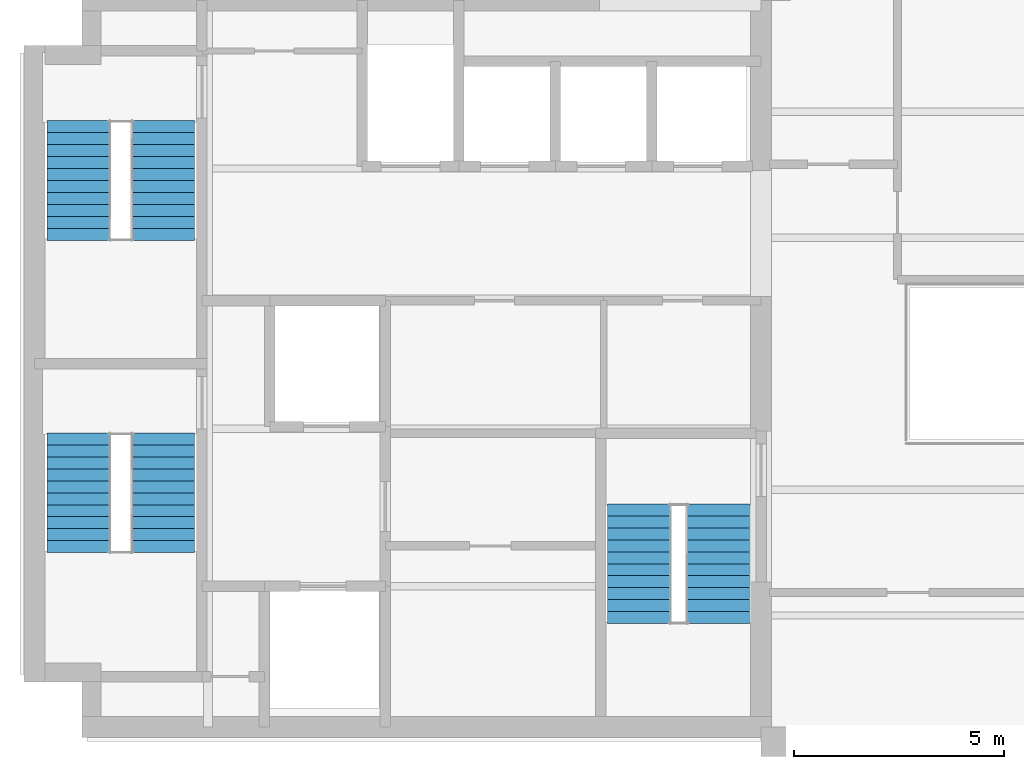
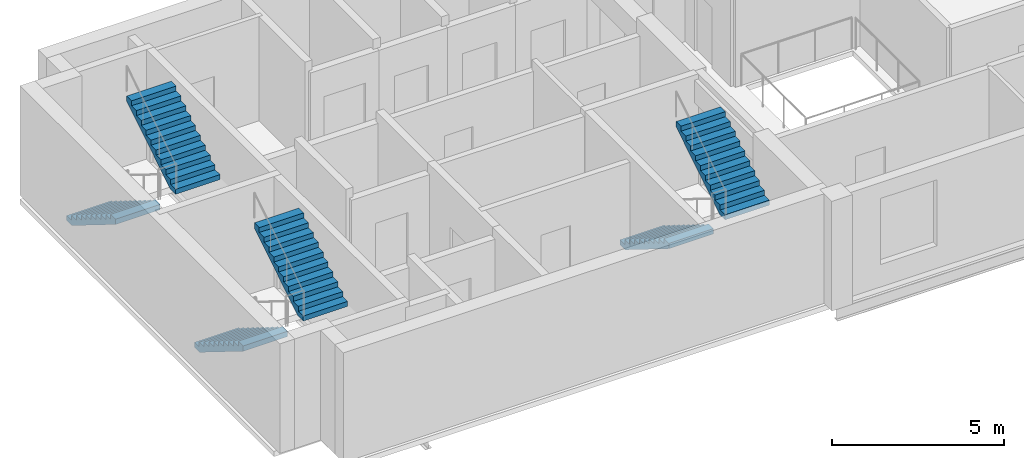
# One storey, part 4 of 5: 6 stair flights, 3 elements without a shape of their own.
"""IFC4 building model written with IfcOpenShell, lengths in metres."""

from ifc_helpers import new_model, si_unit, direction, frame, origin, place, context, subcontext, project, spatial, polyline, outline, extrude, material, type_object, element, aggregate, save


model = new_model("IFC4")

# Units and contexts
model_context = context("Model", 3, precision=1e-05, world=origin(), true_north=direction((0.0, 1.0)))
body_context = subcontext(model_context, "Body", "Model", "MODEL_VIEW")
ifc_project = project(units=[si_unit("LENGTHUNIT", "METRE"), si_unit("AREAUNIT", "SQUARE_METRE"), si_unit("VOLUMEUNIT", "CUBIC_METRE"), si_unit("PLANEANGLEUNIT", "RADIAN"), si_unit("MASSUNIT", "GRAM", prefix="KILO")], contexts=[model_context])

# Site, building, storey
site_placement = place(None, origin())
site = spatial("IfcSite", under=ifc_project, at=site_placement, CompositionType="ELEMENT")
building_placement = place(site_placement, origin())
building = spatial("IfcBuilding", under=site, at=building_placement, Name="Mawjdan Bourse Tower", CompositionType="ELEMENT")
storey_placement = place(building_placement, frame((0.0, 0.0, 289.800048828125)))
storey = spatial("IfcBuildingStorey", under=building, at=storey_placement, Name="L71", CompositionType="ELEMENT", Elevation=289.800048828125)

# Stair, stair flights
ifc_material = material(Name="Concrete C50/60", Category="concrete")
stair_type = type_object("IfcStairType", Name="STR-CORE-1500", PredefinedType="HALF_TURN_STAIR", material=ifc_material)
stair_1_placement = place(storey_placement, origin())
stair_1 = element("IfcStair", 1, at=stair_1_placement, inside=storey, type_object=stair_type, Name="L71 Exit Stair 1 (Core South-West)", PredefinedType="HALF_TURN_STAIR")
stair_flight_type = type_object("IfcStairFlightType", Name="SFL-RC-1500", PredefinedType="STRAIGHT", material=ifc_material)
stair_flight_1_placement = place(storey_placement, frame((7.389892578125, 10.35009765625, 0.0), z_axis=(0.0, 0.0, 1.0), x_axis=(0.0, -1.0, 0.0)))
stair_flight_1 = element("IfcStairFlight", 2, at=stair_flight_1_placement, type_object=stair_flight_type, Name="ST1-L71 flight 1", NumberOfRisers=11, NumberOfTreads=10, PredefinedType="STRAIGHT", RiserHeight=0.177273, TreadLength=0.285, context=body_context, shape_type="SweptSolid", body=[
    extrude(outline(polyline([(0.0, 0.0), (0.0, 0.17724609375), (0.284912109375, 0.17724609375), (0.284912109375, 0.3544921875), (0.570068359375, 0.3544921875), (0.570068359375, 0.53173828125), (0.85498046875, 0.53173828125), (0.85498046875, 0.708984375), (1.139892578125, 0.708984375), (1.139892578125, 0.886474609375), (1.425048828125, 0.886474609375), (1.425048828125, 1.063720703125), (1.7099609375, 1.063720703125), (1.7099609375, 1.240966796875), (1.9951171875, 1.240966796875), (1.9951171875, 1.418212890625), (2.280029296875, 1.418212890625), (2.280029296875, 1.595458984375), (2.56494140625, 1.595458984375), (2.56494140625, 1.772705078125), (2.85009765625, 1.772705078125), (2.85009765625, 1.949951171875), (2.85009765625, 1.58447265625), (0.302734375, 0.0), (0.0, 0.0)])), frame((0.0, 0.75, 0.0), z_axis=(0.0, -1.0, 0.0), x_axis=(1.0, 0.0, 0.0)), (0.0, 0.0, 1.0), 1.5),
])
stair_flight_2_placement = place(storey_placement, frame((9.409912109375, 7.5, 1.949951171875), z_axis=(0.0, 0.0, 1.0), x_axis=(0.0, 1.0, 0.0)))
stair_flight_2 = element("IfcStairFlight", 3, at=stair_flight_2_placement, type_object=stair_flight_type, Name="ST1-L71 flight 2", NumberOfRisers=11, NumberOfTreads=10, PredefinedType="STRAIGHT", RiserHeight=0.177273, TreadLength=0.285, context=body_context, shape_type="SweptSolid", body=[
    extrude(outline(polyline([(0.0, 0.0), (0.0, 0.17724609375), (0.284912109375, 0.17724609375), (0.284912109375, 0.3544921875), (0.570068359375, 0.3544921875), (0.570068359375, 0.53173828125), (0.85498046875, 0.53173828125), (0.85498046875, 0.708984375), (1.139892578125, 0.708984375), (1.139892578125, 0.886474609375), (1.425048828125, 0.886474609375), (1.425048828125, 1.063720703125), (1.7099609375, 1.063720703125), (1.7099609375, 1.240966796875), (1.9951171875, 1.240966796875), (1.9951171875, 1.418212890625), (2.280029296875, 1.418212890625), (2.280029296875, 1.595458984375), (2.56494140625, 1.595458984375), (2.56494140625, 1.772705078125), (2.85009765625, 1.772705078125), (2.85009765625, 1.949951171875), (2.85009765625, 1.58447265625), (0.302734375, 0.0), (0.0, 0.0)])), frame((0.0, 0.75, 0.0), z_axis=(0.0, -1.0, 0.0), x_axis=(1.0, 0.0, 0.0)), (0.0, 0.0, 1.0), 1.5),
])
aggregate(stair_1, [stair_flight_1, stair_flight_2])

stair_2_placement = place(storey_placement, origin())
stair_2 = element("IfcStair", 4, at=stair_2_placement, inside=storey, type_object=stair_type, Name="L71 Exit Stair 2 (Core North-West)", PredefinedType="HALF_TURN_STAIR")
stair_flight_3_placement = place(storey_placement, frame((7.389892578125, 17.7900390625, 0.0), z_axis=(0.0, 0.0, 1.0), x_axis=(0.0, -1.0, 0.0)))
stair_flight_3 = element("IfcStairFlight", 5, at=stair_flight_3_placement, type_object=stair_flight_type, Name="ST2-L71 flight 1", NumberOfRisers=11, NumberOfTreads=10, PredefinedType="STRAIGHT", RiserHeight=0.177273, TreadLength=0.285, context=body_context, shape_type="SweptSolid", body=[
    extrude(outline(polyline([(0.0, 0.0), (0.0, 0.17724609375), (0.284912109375, 0.17724609375), (0.284912109375, 0.3544921875), (0.570068359375, 0.3544921875), (0.570068359375, 0.53173828125), (0.85498046875, 0.53173828125), (0.85498046875, 0.708984375), (1.139892578125, 0.708984375), (1.139892578125, 0.886474609375), (1.425048828125, 0.886474609375), (1.425048828125, 1.063720703125), (1.7099609375, 1.063720703125), (1.7099609375, 1.240966796875), (1.9951171875, 1.240966796875), (1.9951171875, 1.418212890625), (2.280029296875, 1.418212890625), (2.280029296875, 1.595458984375), (2.56494140625, 1.595458984375), (2.56494140625, 1.772705078125), (2.85009765625, 1.772705078125), (2.85009765625, 1.949951171875), (2.85009765625, 1.58447265625), (0.302734375, 0.0), (0.0, 0.0)])), frame((0.0, 0.75, 0.0), z_axis=(0.0, -1.0, 0.0), x_axis=(1.0, 0.0, 0.0)), (0.0, 0.0, 1.0), 1.5),
])
stair_flight_4_placement = place(storey_placement, frame((9.409912109375, 14.93994140625, 1.949951171875), z_axis=(0.0, 0.0, 1.0), x_axis=(0.0, 1.0, 0.0)))
stair_flight_4 = element("IfcStairFlight", 6, at=stair_flight_4_placement, type_object=stair_flight_type, Name="ST2-L71 flight 2", NumberOfRisers=11, NumberOfTreads=10, PredefinedType="STRAIGHT", RiserHeight=0.177273, TreadLength=0.285, context=body_context, shape_type="SweptSolid", body=[
    extrude(outline(polyline([(0.0, 0.0), (0.0, 0.17724609375), (0.284912109375, 0.17724609375), (0.284912109375, 0.3544921875), (0.570068359375, 0.3544921875), (0.570068359375, 0.53173828125), (0.85498046875, 0.53173828125), (0.85498046875, 0.708984375), (1.139892578125, 0.708984375), (1.139892578125, 0.886474609375), (1.425048828125, 0.886474609375), (1.425048828125, 1.063720703125), (1.7099609375, 1.063720703125), (1.7099609375, 1.240966796875), (1.9951171875, 1.240966796875), (1.9951171875, 1.418212890625), (2.280029296875, 1.418212890625), (2.280029296875, 1.595458984375), (2.56494140625, 1.595458984375), (2.56494140625, 1.772705078125), (2.85009765625, 1.772705078125), (2.85009765625, 1.949951171875), (2.85009765625, 1.58447265625), (0.302734375, 0.0), (0.0, 0.0)])), frame((0.0, 0.75, 0.0), z_axis=(0.0, -1.0, 0.0), x_axis=(1.0, 0.0, 0.0)), (0.0, 0.0, 1.0), 1.5),
])
aggregate(stair_2, [stair_flight_3, stair_flight_4])

stair_3_placement = place(storey_placement, origin())
stair_3 = element("IfcStair", 7, at=stair_3_placement, inside=storey, type_object=stair_type, Name="L71 Exit Stair 7 (Core South-East)", PredefinedType="HALF_TURN_STAIR")
stair_flight_5_placement = place(storey_placement, frame((20.739990234375, 8.659912109375, 0.0), z_axis=(0.0, 0.0, 1.0), x_axis=(0.0, -1.0, 0.0)))
stair_flight_5 = element("IfcStairFlight", 8, at=stair_flight_5_placement, type_object=stair_flight_type, Name="ST7-L71 flight 1", NumberOfRisers=11, NumberOfTreads=10, PredefinedType="STRAIGHT", RiserHeight=0.177273, TreadLength=0.285, context=body_context, shape_type="SweptSolid", body=[
    extrude(outline(polyline([(0.0, 0.0), (0.0, 0.17724609375), (0.284912109375, 0.17724609375), (0.284912109375, 0.3544921875), (0.570068359375, 0.3544921875), (0.570068359375, 0.53173828125), (0.85498046875, 0.53173828125), (0.85498046875, 0.708984375), (1.139892578125, 0.708984375), (1.139892578125, 0.886474609375), (1.425048828125, 0.886474609375), (1.425048828125, 1.063720703125), (1.7099609375, 1.063720703125), (1.7099609375, 1.240966796875), (1.9951171875, 1.240966796875), (1.9951171875, 1.418212890625), (2.280029296875, 1.418212890625), (2.280029296875, 1.595458984375), (2.56494140625, 1.595458984375), (2.56494140625, 1.772705078125), (2.85009765625, 1.772705078125), (2.85009765625, 1.949951171875), (2.85009765625, 1.58447265625), (0.302734375, 0.0), (0.0, 0.0)])), frame((0.0, 0.75, 0.0), z_axis=(0.0, -1.0, 0.0), x_axis=(1.0, 0.0, 0.0)), (0.0, 0.0, 1.0), 1.5),
])
stair_flight_6_placement = place(storey_placement, frame((22.6298828125, 5.81005859375, 1.949951171875), z_axis=(0.0, 0.0, 1.0), x_axis=(0.0, 1.0, 0.0)))
stair_flight_6 = element("IfcStairFlight", 9, at=stair_flight_6_placement, type_object=stair_flight_type, Name="ST7-L71 flight 2", NumberOfRisers=11, NumberOfTreads=10, PredefinedType="STRAIGHT", RiserHeight=0.177273, TreadLength=0.285, context=body_context, shape_type="SweptSolid", body=[
    extrude(outline(polyline([(0.0, 0.0), (0.0, 0.17724609375), (0.284912109375, 0.17724609375), (0.284912109375, 0.3544921875), (0.570068359375, 0.3544921875), (0.570068359375, 0.53173828125), (0.85498046875, 0.53173828125), (0.85498046875, 0.708984375), (1.139892578125, 0.708984375), (1.139892578125, 0.886474609375), (1.425048828125, 0.886474609375), (1.425048828125, 1.063720703125), (1.7099609375, 1.063720703125), (1.7099609375, 1.240966796875), (1.9951171875, 1.240966796875), (1.9951171875, 1.418212890625), (2.280029296875, 1.418212890625), (2.280029296875, 1.595458984375), (2.56494140625, 1.595458984375), (2.56494140625, 1.772705078125), (2.85009765625, 1.772705078125), (2.85009765625, 1.949951171875), (2.85009765625, 1.58447265625), (0.302734375, 0.0), (0.0, 0.0)])), frame((0.0, 0.75, 0.0), z_axis=(0.0, -1.0, 0.0), x_axis=(1.0, 0.0, 0.0)), (0.0, 0.0, 1.0), 1.5),
])
aggregate(stair_3, [stair_flight_5, stair_flight_6])

save(model, "model.ifc")
